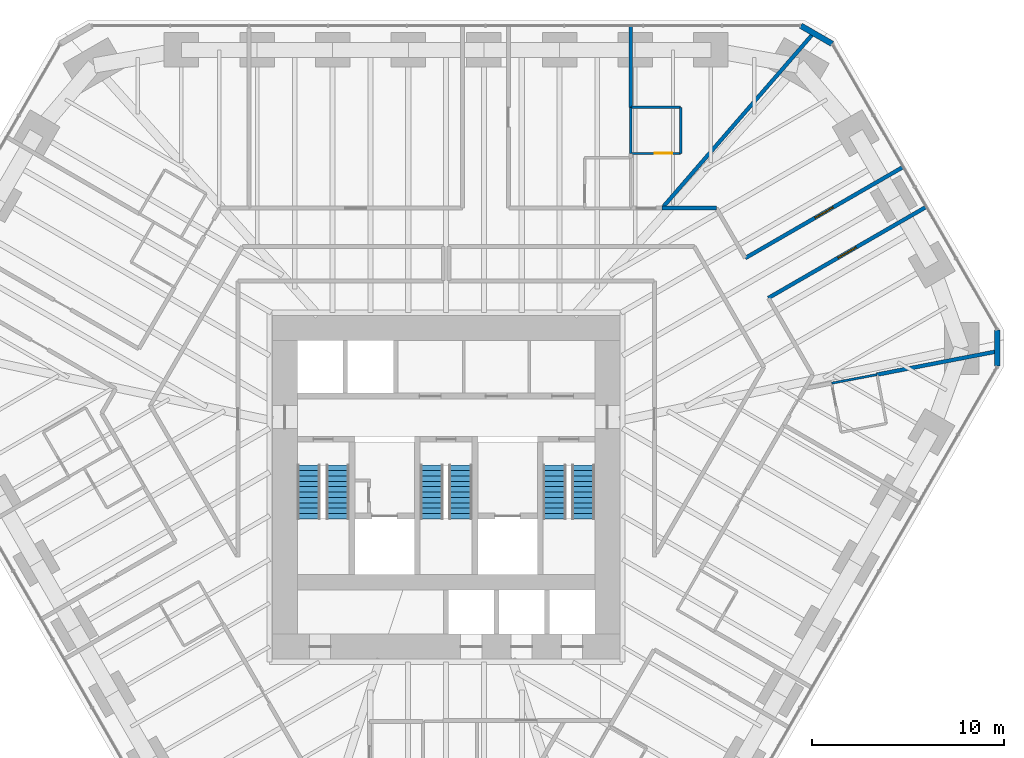
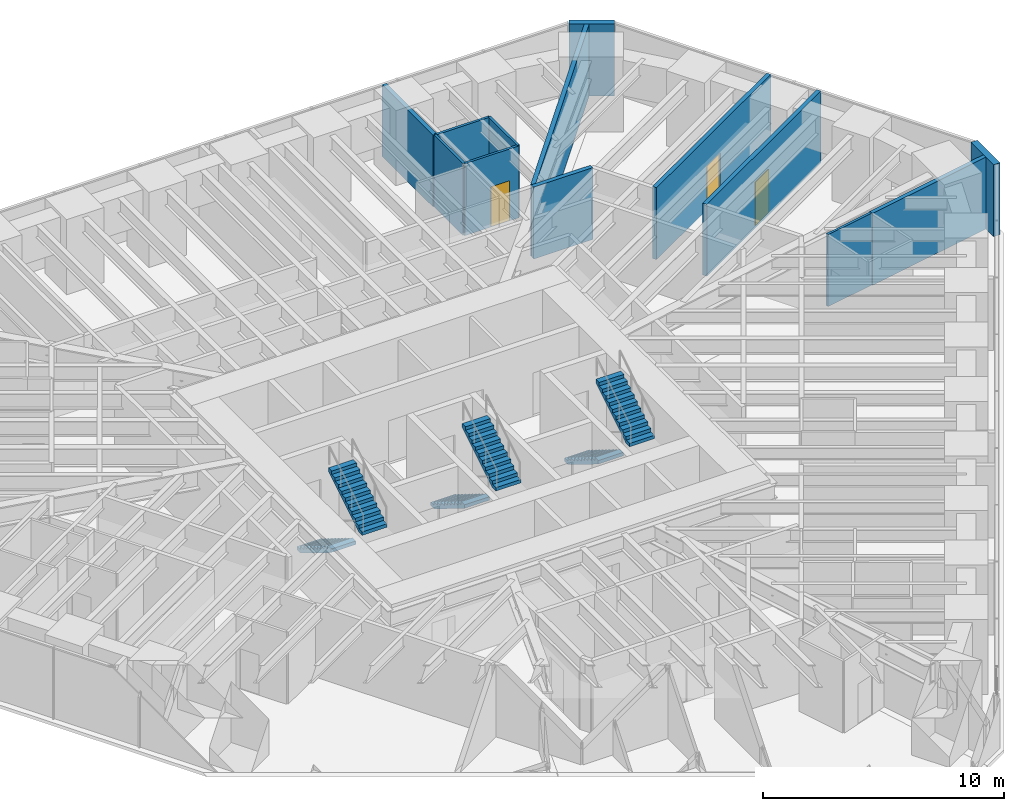
# One storey, part 15 of 16: 13 walls, 6 stair flights, 3 doors, 3 openings, 3 elements without a shape of their own.
"""IFC4 building model written with IfcOpenShell, lengths in metres."""

from ifc_helpers import new_model, si_unit, direction, frame, frame_2d, origin, place, context, subcontext, project, spatial, polyline, rectangle, outline, extrude, material, layer, layer_set, type_object, element, fill, aggregate, save


model = new_model("IFC4")

# Units and contexts
model_context = context("Model", 3, precision=1e-05, world=origin(), true_north=direction((0.0, 1.0)))
body_context = subcontext(model_context, "Body", "Model", "MODEL_VIEW")
ifc_project = project(units=[si_unit("LENGTHUNIT", "METRE"), si_unit("AREAUNIT", "SQUARE_METRE"), si_unit("VOLUMEUNIT", "CUBIC_METRE"), si_unit("PLANEANGLEUNIT", "RADIAN"), si_unit("MASSUNIT", "GRAM", prefix="KILO")], contexts=[model_context])

# Site, building, storey
site_placement = place(None, origin())
site = spatial("IfcSite", under=ifc_project, at=site_placement, CompositionType="ELEMENT")
building_placement = place(site_placement, origin())
building = spatial("IfcBuilding", under=site, at=building_placement, Name="Sandreach Pilgrim Tower", CompositionType="ELEMENT")
storey_placement = place(building_placement, frame((0.0, 0.0, 131.0)))
storey = spatial("IfcBuildingStorey", under=building, at=storey_placement, Name="L32", CompositionType="ELEMENT", Elevation=131.0)

# Wall, opening, door
ifc_material_1 = material(Name="Moisture-resistant gypsum board on steel studs", Category="steel")
ifc_layer_1 = layer(ifc_material_1, 0.1201171875)
ifc_layer_set_1 = layer_set([ifc_layer_1], Name="Bathroom partition 120")
wall_type_1 = type_object("IfcWallType", Name="Bathroom partition 120", PredefinedType="PARTITIONING", material=ifc_layer_set_1)
wall_1_placement = place(storey_placement, frame((9.6201171875, 15.840087890625, 0.0), z_axis=(0.0, 0.0, 1.0), x_axis=(1.0, 0.0, 0.0)))
wall_1 = element("IfcWall", 1, at=wall_1_placement, inside=storey, type_object=wall_type_1, Name="Bathroom partition L32-102", PredefinedType="PARTITIONING", context=body_context, shape_type="SweptSolid", body=[
    extrude(rectangle(XDim=2.599853515625, YDim=0.1201171875, at=frame_2d((1.2998046875, 0.0))), origin(), (0.0, 0.0, 1.0), 3.639892578125),
])
opening_1_placement = place(wall_1_placement, frame((1.25, 0.0, 0.0)))
opening_1 = element("IfcOpeningElement", 2, at=opening_1_placement, cuts=wall_1, Name="Opening D09-03B", PredefinedType="OPENING", context=body_context, shape_type="SweptSolid", body=[
    extrude(rectangle(XDim=0.89990234375, YDim=2.030029296875, at=frame_2d((0.449951171875, 1.01513671875))), frame((0.0, 0.06005859375, 0.0), z_axis=(0.0, -1.0, 0.0), x_axis=(1.0, 0.0, 0.0)), (0.0, 0.0, 1.0), 0.1201171875),
])
ifc_material_2 = material(Name="Timber door, steel frame", Category="steel")
door_type_1 = type_object("IfcDoorType", Name="Bathroom door", OperationType="SINGLE_SWING_LEFT", PredefinedType="DOOR", material=ifc_material_2)
door_1_placement = place(opening_1_placement, origin())
door_1 = element("IfcDoor", 3, at=door_1_placement, inside=storey, type_object=door_type_1, Name="Door 3203B", OperationType="SINGLE_SWING_RIGHT", OverallHeight=2.030029296875, OverallWidth=0.89990234375, PredefinedType="DOOR", context=body_context, shape_type="SweptSolid", body=[
    extrude(rectangle(XDim=0.89990234375, YDim=2.030029296875, at=frame_2d((0.449951171875, 1.01513671875))), frame((0.0, 0.02490234375, 0.0), z_axis=(0.0, -1.0, 0.0), x_axis=(1.0, 0.0, 0.0)), (0.0, 0.0, 1.0), 0.050048828125),
])
fill(opening_1, door_1)

# Walls
for number, where, z_axis, x_axis, name in (
    (4, (9.6201171875, 18.239990234375, 0.0), (0.0, 0.0, 1.0), (0.0, -1.0, 0.0), "Bathroom partition L32-103"),
    (5, (12.219970703125, 15.840087890625, 0.0), (0.0, 0.0, 1.0), (0.0, 1.0, 0.0), "Bathroom partition L32-114"),
):
    element("IfcWall", number, at=place(storey_placement, frame(where, z_axis=z_axis, x_axis=x_axis)), inside=storey, type_object=wall_type_1, Name=name, PredefinedType="PARTITIONING", context=body_context, shape_type="SweptSolid", body=[
        extrude(rectangle(XDim=2.39990234375, YDim=0.1201171875, at=frame_2d((1.199951171875, 0.0))), origin(), (0.0, 0.0, 1.0), 3.639892578125),
    ])
wall_2_placement = place(storey_placement, frame((12.219970703125, 18.239990234375, 0.0), z_axis=(0.0, 0.0, 1.0), x_axis=(-1.0, 0.0, 0.0)))
element("IfcWall", 6, at=wall_2_placement, inside=storey, type_object=wall_type_1, Name="Bathroom partition L32-115", PredefinedType="PARTITIONING", context=body_context, shape_type="SweptSolid", body=[
    extrude(rectangle(XDim=2.599853515625, YDim=0.1201171875, at=frame_2d((1.2998046875, 0.0))), origin(), (0.0, 0.0, 1.0), 3.639892578125),
])
wall_3_placement = place(storey_placement, frame((20.090087890625, 3.8701171875, 0.0), z_axis=(0.0, 0.0, 1.0), x_axis=(0.982478825295, 0.186374241373, 0.0)))
element("IfcWall", 7, at=wall_3_placement, inside=storey, type_object=wall_type_1, Name="Bathroom partition L32-131", PredefinedType="PARTITIONING", context=body_context, shape_type="SweptSolid", body=[
    extrude(rectangle(XDim=2.40234375, YDim=0.1201171875, at=frame_2d((1.201171875, 0.0))), origin(), (0.0, 0.0, 1.0), 3.639892578125),
])
ifc_material_3 = material(Name="Gypsum board on steel studs, two layers each side", Category="steel")
ifc_layer_2 = layer(ifc_material_3, 0.199951171875)
ifc_layer_set_2 = layer_set([ifc_layer_2], Name="Corridor wall 200")
wall_type_2 = type_object("IfcWallType", Name="Corridor wall 200", PredefinedType="PARTITIONING", material=ifc_layer_set_2)
wall_4_placement = place(storey_placement, frame((14.080078125, 12.989990234375, 0.0), z_axis=(0.0, 0.0, 1.0), x_axis=(-1.0, 0.0, 0.0)))
element("IfcWall", 8, at=wall_4_placement, inside=storey, type_object=wall_type_2, Name="Corridor wall L32-120", PredefinedType="PARTITIONING", context=body_context, shape_type="SweptSolid", body=[
    extrude(rectangle(XDim=2.830078125, YDim=0.199951171875, at=frame_2d((1.4150390625, 0.0))), origin(), (0.0, 0.0, 1.0), 3.639892578125),
])

# Wall, opening, door
wall_5_placement = place(storey_placement, frame((16.7900390625, 8.31005859375, 0.0), z_axis=(0.0, 0.0, 1.0), x_axis=(0.866106622958, 0.499859297871, 0.0)))
wall_5 = element("IfcWall", 9, at=wall_5_placement, inside=storey, type_object=wall_type_2, Name="Corridor wall L32-124", PredefinedType="PARTITIONING", context=body_context, shape_type="SweptSolid", body=[
    extrude(rectangle(XDim=9.472412109375, YDim=0.199951171875, at=frame_2d((4.736328125, 0.0))), origin(), (0.0, 0.0, 1.0), 3.639892578125),
])
opening_2_placement = place(wall_5_placement, frame((4.186279296875, 0.0, 0.0)))
opening_2 = element("IfcOpeningElement", 10, at=opening_2_placement, cuts=wall_5, Name="Opening D11H-05", PredefinedType="OPENING", context=body_context, shape_type="SweptSolid", body=[
    extrude(rectangle(XDim=1.10009765625, YDim=2.199951171875, at=frame_2d((0.550048828125, 1.10009765625))), frame((0.0, 0.10009765625, 0.0), z_axis=(0.0, -1.0, 0.0), x_axis=(1.0, 0.0, 0.0)), (0.0, 0.0, 1.0), 0.199951171875),
])
ifc_material_4 = material(Name="Steel door and frame", Category="steel")
door_type_2 = type_object("IfcDoorType", Name="Back of house door", OperationType="SINGLE_SWING_LEFT", PredefinedType="DOOR", material=ifc_material_4)
door_2_placement = place(opening_2_placement, origin())
door_2 = element("IfcDoor", 11, at=door_2_placement, inside=storey, type_object=door_type_2, Name="Door 3205", OperationType="SINGLE_SWING_LEFT", OverallHeight=2.199951171875, OverallWidth=1.10009765625, PredefinedType="DOOR", context=body_context, shape_type="SweptSolid", body=[
    extrude(rectangle(XDim=1.10009765625, YDim=2.199951171875, at=frame_2d((0.550048828125, 1.10009765625))), frame((0.0, 0.02490234375, 0.0), z_axis=(0.0, -1.0, 0.0), x_axis=(1.0, 0.0, 0.0)), (0.0, 0.0, 1.0), 0.050048828125),
])
fill(opening_2, door_2)

wall_6_placement = place(storey_placement, frame((23.7939453125, 15.125, 0.0), z_axis=(0.0, 0.0, 1.0), x_axis=(-0.866089024064, -0.499889790249, 0.0)))
wall_6 = element("IfcWall", 12, at=wall_6_placement, inside=storey, type_object=wall_type_2, Name="Corridor wall L32-135", PredefinedType="PARTITIONING", context=body_context, shape_type="SweptSolid", body=[
    extrude(rectangle(XDim=9.472412109375, YDim=0.199951171875, at=frame_2d((4.736328125, 0.0))), origin(), (0.0, 0.0, 1.0), 3.639892578125),
])
opening_3_placement = place(wall_6_placement, frame((4.186279296875, 0.0, 0.0)))
opening_3 = element("IfcOpeningElement", 13, at=opening_3_placement, cuts=wall_6, Name="Opening D11H-04", PredefinedType="OPENING", context=body_context, shape_type="SweptSolid", body=[
    extrude(rectangle(XDim=1.10009765625, YDim=2.199951171875, at=frame_2d((0.550048828125, 1.10009765625))), frame((0.0, 0.10009765625, 0.0), z_axis=(0.0, -1.0, 0.0), x_axis=(1.0, 0.0, 0.0)), (0.0, 0.0, 1.0), 0.199951171875),
])
door_3_placement = place(opening_3_placement, origin())
door_3 = element("IfcDoor", 14, at=door_3_placement, inside=storey, type_object=door_type_2, Name="Door 3204", OperationType="SINGLE_SWING_LEFT", OverallHeight=2.199951171875, OverallWidth=1.10009765625, PredefinedType="DOOR", context=body_context, shape_type="SweptSolid", body=[
    extrude(rectangle(XDim=1.10009765625, YDim=2.199951171875, at=frame_2d((0.550048828125, 1.10009765625))), frame((0.0, 0.02490234375, 0.0), z_axis=(0.0, -1.0, 0.0), x_axis=(1.0, 0.0, 0.0)), (0.0, 0.0, 1.0), 0.050048828125),
])
fill(opening_3, door_3)

# Walls
ifc_material_5 = material(Name="Double steel stud acoustic wall, gypsum board", Category="steel")
ifc_layer_3 = layer(ifc_material_5, 0.199951171875)
ifc_layer_set_3 = layer_set([ifc_layer_3], Name="Party wall 200")
wall_type_3 = type_object("IfcWallType", Name="Party wall 200", PredefinedType="PARTITIONING", material=ifc_layer_set_3)
wall_7_placement = place(storey_placement, frame((9.6201171875, 22.4599609375, 0.0), z_axis=(0.0, 0.0, 1.0), x_axis=(0.0, -1.0, 0.0)))
element("IfcWall", 15, at=wall_7_placement, inside=storey, type_object=wall_type_3, Name="Party wall L32-104", PredefinedType="PARTITIONING", context=body_context, shape_type="SweptSolid", body=[
    extrude(rectangle(XDim=4.219970703125, YDim=0.199951171875, at=frame_2d((2.10986328125, 0.0))), origin(), (0.0, 0.0, 1.0), 3.639892578125),
])
wall_8_placement = place(storey_placement, frame((19.160400390625, 22.127197265625, 0.0), z_axis=(0.0, 0.0, 1.0), x_axis=(-0.654528846076, -0.756037029288, 0.0)))
element("IfcWall", 16, at=wall_8_placement, inside=storey, type_object=wall_type_3, Name="Party wall L32-129", PredefinedType="PARTITIONING", context=body_context, shape_type="SweptSolid", body=[
    extrude(rectangle(XDim=11.965576171875, YDim=0.199951171875, at=frame_2d((5.98291015625, 0.0))), origin(), (0.0, 0.0, 1.0), 3.639892578125),
])
wall_9_placement = place(storey_placement, frame((22.450439453125, 4.31787109375, 0.0), z_axis=(0.0, 0.0, 1.0), x_axis=(0.981805297839, 0.189890381894, 0.0)))
element("IfcWall", 17, at=wall_9_placement, inside=storey, type_object=wall_type_3, Name="Party wall L32-133", PredefinedType="PARTITIONING", context=body_context, shape_type="SweptSolid", body=[
    extrude(rectangle(XDim=6.406494140625, YDim=0.199951171875, at=frame_2d((3.203125, 0.0))), origin(), (0.0, 0.0, 1.0), 3.639892578125),
])
ifc_material_6 = material(Name="Terracotta rainscreen on concrete", Category="masonry")
ifc_layer_4 = layer(ifc_material_6, 0.300048828125)
ifc_layer_set_4 = layer_set([ifc_layer_4], Name="Terracotta chamfer pier")
wall_type_4 = type_object("IfcWallType", Name="Terracotta chamfer pier", PredefinedType="SOLIDWALL", material=ifc_layer_set_4)
wall_10_placement = place(storey_placement, frame((18.4814453125, 22.493896484375, 0.0), z_axis=(0.0, 0.0, 1.0), x_axis=(0.865988793993, -0.500063404658, 0.0)))
element("IfcWall", 18, at=wall_10_placement, inside=storey, type_object=wall_type_4, Name="Chamfer pier L32 N", PredefinedType="SOLIDWALL", context=body_context, shape_type="SweptSolid", body=[
    extrude(rectangle(XDim=1.880126953125, YDim=0.300048828125, at=frame_2d((0.93994140625, 0.0))), origin(), (0.0, 0.0, 1.0), 3.639892578125),
])
wall_11_placement = place(storey_placement, frame((28.720947265625, 6.638427734375, 0.0), z_axis=(0.0, 0.0, 1.0), x_axis=(0.0, -1.0, 0.0)))
element("IfcWall", 19, at=wall_11_placement, inside=storey, type_object=wall_type_4, Name="Chamfer pier L32 NE", PredefinedType="SOLIDWALL", context=body_context, shape_type="SweptSolid", body=[
    extrude(rectangle(XDim=1.8798828125, YDim=0.300048828125, at=frame_2d((0.93994140625, 0.0))), origin(), (0.0, 0.0, 1.0), 3.639892578125),
])

# Stair, stair flights
ifc_material_7 = material(Name="Concrete 8000 psi", Category="concrete")
stair_type = type_object("IfcStairType", Name="Core exit stair", PredefinedType="HALF_TURN_STAIR", material=ifc_material_7)
stair_1_placement = place(storey_placement, origin())
stair_1 = element("IfcStair", 20, at=stair_1_placement, inside=storey, type_object=stair_type, Name="Exit stair ST1 L32", PredefinedType="HALF_TURN_STAIR")
ifc_material_8 = material(Name="Concrete 8000 psi", Category="concrete")
stair_flight_type = type_object("IfcStairFlightType", Name="Core stair flight 1200", PredefinedType="STRAIGHT", material=ifc_material_8)
stair_flight_1_placement = place(storey_placement, frame((-7.14990234375, -0.39990234375, 0.0), z_axis=(0.0, 0.0, 1.0), x_axis=(0.0, -1.0, 0.0)))
stair_flight_1 = element("IfcStairFlight", 21, at=stair_flight_1_placement, type_object=stair_flight_type, Name="ST1 flight 1", NumberOfRisers=11, NumberOfTreads=10, PredefinedType="STRAIGHT", RiserHeight=0.172727273, TreadLength=0.28, context=body_context, shape_type="SweptSolid", body=[
    extrude(outline(polyline([(0.0, 0.0), (0.0, 0.172607421875), (0.280029296875, 0.172607421875), (0.280029296875, 0.345458984375), (0.56005859375, 0.345458984375), (0.56005859375, 0.51806640625), (0.840087890625, 0.51806640625), (0.840087890625, 0.69091796875), (1.1201171875, 0.69091796875), (1.1201171875, 0.863525390625), (1.39990234375, 0.863525390625), (1.39990234375, 1.036376953125), (1.679931640625, 1.036376953125), (1.679931640625, 1.208984375), (1.9599609375, 1.208984375), (1.9599609375, 1.3818359375), (2.239990234375, 1.3818359375), (2.239990234375, 1.554443359375), (2.52001953125, 1.554443359375), (2.52001953125, 1.727294921875), (2.800048828125, 1.727294921875), (2.800048828125, 1.89990234375), (2.800048828125, 1.551025390625), (0.285400390625, 0.0), (0.0, 0.0)])), frame((0.0, 0.60009765625, 0.0), z_axis=(0.0, -1.0, 0.0), x_axis=(1.0, 0.0, 0.0)), (0.0, 0.0, 1.0), 1.199951171875),
])
stair_flight_2_placement = place(storey_placement, frame((-5.64990234375, -3.199951171875, 1.89990234375), z_axis=(0.0, 0.0, 1.0), x_axis=(0.0, 1.0, 0.0)))
stair_flight_2 = element("IfcStairFlight", 22, at=stair_flight_2_placement, type_object=stair_flight_type, Name="ST1 flight 2", NumberOfRisers=11, NumberOfTreads=10, PredefinedType="STRAIGHT", RiserHeight=0.172727273, TreadLength=0.28, context=body_context, shape_type="SweptSolid", body=[
    extrude(outline(polyline([(0.0, 0.0), (0.0, 0.172607421875), (0.280029296875, 0.172607421875), (0.280029296875, 0.345458984375), (0.56005859375, 0.345458984375), (0.56005859375, 0.51806640625), (0.840087890625, 0.51806640625), (0.840087890625, 0.69091796875), (1.1201171875, 0.69091796875), (1.1201171875, 0.863525390625), (1.39990234375, 0.863525390625), (1.39990234375, 1.036376953125), (1.679931640625, 1.036376953125), (1.679931640625, 1.208984375), (1.9599609375, 1.208984375), (1.9599609375, 1.3818359375), (2.239990234375, 1.3818359375), (2.239990234375, 1.554443359375), (2.52001953125, 1.554443359375), (2.52001953125, 1.727294921875), (2.800048828125, 1.727294921875), (2.800048828125, 1.89990234375), (2.800048828125, 1.551025390625), (0.285400390625, 0.0), (0.0, 0.0)])), frame((0.0, 0.60009765625, 0.0), z_axis=(0.0, -1.0, 0.0), x_axis=(1.0, 0.0, 0.0)), (0.0, 0.0, 1.0), 1.199951171875),
])
aggregate(stair_1, [stair_flight_1, stair_flight_2])

stair_2_placement = place(storey_placement, origin())
stair_2 = element("IfcStair", 23, at=stair_2_placement, inside=storey, type_object=stair_type, Name="Exit stair ST3 L32", PredefinedType="HALF_TURN_STAIR")
stair_flight_3_placement = place(storey_placement, frame((-0.75, -0.39990234375, 0.0), z_axis=(0.0, 0.0, 1.0), x_axis=(0.0, -1.0, 0.0)))
stair_flight_3 = element("IfcStairFlight", 24, at=stair_flight_3_placement, type_object=stair_flight_type, Name="ST3 flight 1", NumberOfRisers=11, NumberOfTreads=10, PredefinedType="STRAIGHT", RiserHeight=0.172727273, TreadLength=0.28, context=body_context, shape_type="SweptSolid", body=[
    extrude(outline(polyline([(0.0, 0.0), (0.0, 0.172607421875), (0.280029296875, 0.172607421875), (0.280029296875, 0.345458984375), (0.56005859375, 0.345458984375), (0.56005859375, 0.51806640625), (0.840087890625, 0.51806640625), (0.840087890625, 0.69091796875), (1.1201171875, 0.69091796875), (1.1201171875, 0.863525390625), (1.39990234375, 0.863525390625), (1.39990234375, 1.036376953125), (1.679931640625, 1.036376953125), (1.679931640625, 1.208984375), (1.9599609375, 1.208984375), (1.9599609375, 1.3818359375), (2.239990234375, 1.3818359375), (2.239990234375, 1.554443359375), (2.52001953125, 1.554443359375), (2.52001953125, 1.727294921875), (2.800048828125, 1.727294921875), (2.800048828125, 1.89990234375), (2.800048828125, 1.551025390625), (0.285400390625, 0.0), (0.0, 0.0)])), frame((0.0, 0.60009765625, 0.0), z_axis=(0.0, -1.0, 0.0), x_axis=(1.0, 0.0, 0.0)), (0.0, 0.0, 1.0), 1.199951171875),
])
stair_flight_4_placement = place(storey_placement, frame((0.75, -3.199951171875, 1.89990234375), z_axis=(0.0, 0.0, 1.0), x_axis=(0.0, 1.0, 0.0)))
stair_flight_4 = element("IfcStairFlight", 25, at=stair_flight_4_placement, type_object=stair_flight_type, Name="ST3 flight 2", NumberOfRisers=11, NumberOfTreads=10, PredefinedType="STRAIGHT", RiserHeight=0.172727273, TreadLength=0.28, context=body_context, shape_type="SweptSolid", body=[
    extrude(outline(polyline([(0.0, 0.0), (0.0, 0.172607421875), (0.280029296875, 0.172607421875), (0.280029296875, 0.345458984375), (0.56005859375, 0.345458984375), (0.56005859375, 0.51806640625), (0.840087890625, 0.51806640625), (0.840087890625, 0.69091796875), (1.1201171875, 0.69091796875), (1.1201171875, 0.863525390625), (1.39990234375, 0.863525390625), (1.39990234375, 1.036376953125), (1.679931640625, 1.036376953125), (1.679931640625, 1.208984375), (1.9599609375, 1.208984375), (1.9599609375, 1.3818359375), (2.239990234375, 1.3818359375), (2.239990234375, 1.554443359375), (2.52001953125, 1.554443359375), (2.52001953125, 1.727294921875), (2.800048828125, 1.727294921875), (2.800048828125, 1.89990234375), (2.800048828125, 1.551025390625), (0.285400390625, 0.0), (0.0, 0.0)])), frame((0.0, 0.60009765625, 0.0), z_axis=(0.0, -1.0, 0.0), x_axis=(1.0, 0.0, 0.0)), (0.0, 0.0, 1.0), 1.199951171875),
])
aggregate(stair_2, [stair_flight_3, stair_flight_4])

stair_3_placement = place(storey_placement, origin())
stair_3 = element("IfcStair", 26, at=stair_3_placement, inside=storey, type_object=stair_type, Name="Exit stair ST2 L32", PredefinedType="HALF_TURN_STAIR")
stair_flight_5_placement = place(storey_placement, frame((5.64990234375, -0.39990234375, 0.0), z_axis=(0.0, 0.0, 1.0), x_axis=(0.0, -1.0, 0.0)))
stair_flight_5 = element("IfcStairFlight", 27, at=stair_flight_5_placement, type_object=stair_flight_type, Name="ST2 flight 1", NumberOfRisers=11, NumberOfTreads=10, PredefinedType="STRAIGHT", RiserHeight=0.172727273, TreadLength=0.28, context=body_context, shape_type="SweptSolid", body=[
    extrude(outline(polyline([(0.0, 0.0), (0.0, 0.172607421875), (0.280029296875, 0.172607421875), (0.280029296875, 0.345458984375), (0.56005859375, 0.345458984375), (0.56005859375, 0.51806640625), (0.840087890625, 0.51806640625), (0.840087890625, 0.69091796875), (1.1201171875, 0.69091796875), (1.1201171875, 0.863525390625), (1.39990234375, 0.863525390625), (1.39990234375, 1.036376953125), (1.679931640625, 1.036376953125), (1.679931640625, 1.208984375), (1.9599609375, 1.208984375), (1.9599609375, 1.3818359375), (2.239990234375, 1.3818359375), (2.239990234375, 1.554443359375), (2.52001953125, 1.554443359375), (2.52001953125, 1.727294921875), (2.800048828125, 1.727294921875), (2.800048828125, 1.89990234375), (2.800048828125, 1.551025390625), (0.285400390625, 0.0), (0.0, 0.0)])), frame((0.0, 0.60009765625, 0.0), z_axis=(0.0, -1.0, 0.0), x_axis=(1.0, 0.0, 0.0)), (0.0, 0.0, 1.0), 1.199951171875),
])
stair_flight_6_placement = place(storey_placement, frame((7.14990234375, -3.199951171875, 1.89990234375), z_axis=(0.0, 0.0, 1.0), x_axis=(0.0, 1.0, 0.0)))
stair_flight_6 = element("IfcStairFlight", 28, at=stair_flight_6_placement, type_object=stair_flight_type, Name="ST2 flight 2", NumberOfRisers=11, NumberOfTreads=10, PredefinedType="STRAIGHT", RiserHeight=0.172727273, TreadLength=0.28, context=body_context, shape_type="SweptSolid", body=[
    extrude(outline(polyline([(0.0, 0.0), (0.0, 0.172607421875), (0.280029296875, 0.172607421875), (0.280029296875, 0.345458984375), (0.56005859375, 0.345458984375), (0.56005859375, 0.51806640625), (0.840087890625, 0.51806640625), (0.840087890625, 0.69091796875), (1.1201171875, 0.69091796875), (1.1201171875, 0.863525390625), (1.39990234375, 0.863525390625), (1.39990234375, 1.036376953125), (1.679931640625, 1.036376953125), (1.679931640625, 1.208984375), (1.9599609375, 1.208984375), (1.9599609375, 1.3818359375), (2.239990234375, 1.3818359375), (2.239990234375, 1.554443359375), (2.52001953125, 1.554443359375), (2.52001953125, 1.727294921875), (2.800048828125, 1.727294921875), (2.800048828125, 1.89990234375), (2.800048828125, 1.551025390625), (0.285400390625, 0.0), (0.0, 0.0)])), frame((0.0, 0.60009765625, 0.0), z_axis=(0.0, -1.0, 0.0), x_axis=(1.0, 0.0, 0.0)), (0.0, 0.0, 1.0), 1.199951171875),
])
aggregate(stair_3, [stair_flight_5, stair_flight_6])

save(model, "model.ifc")
